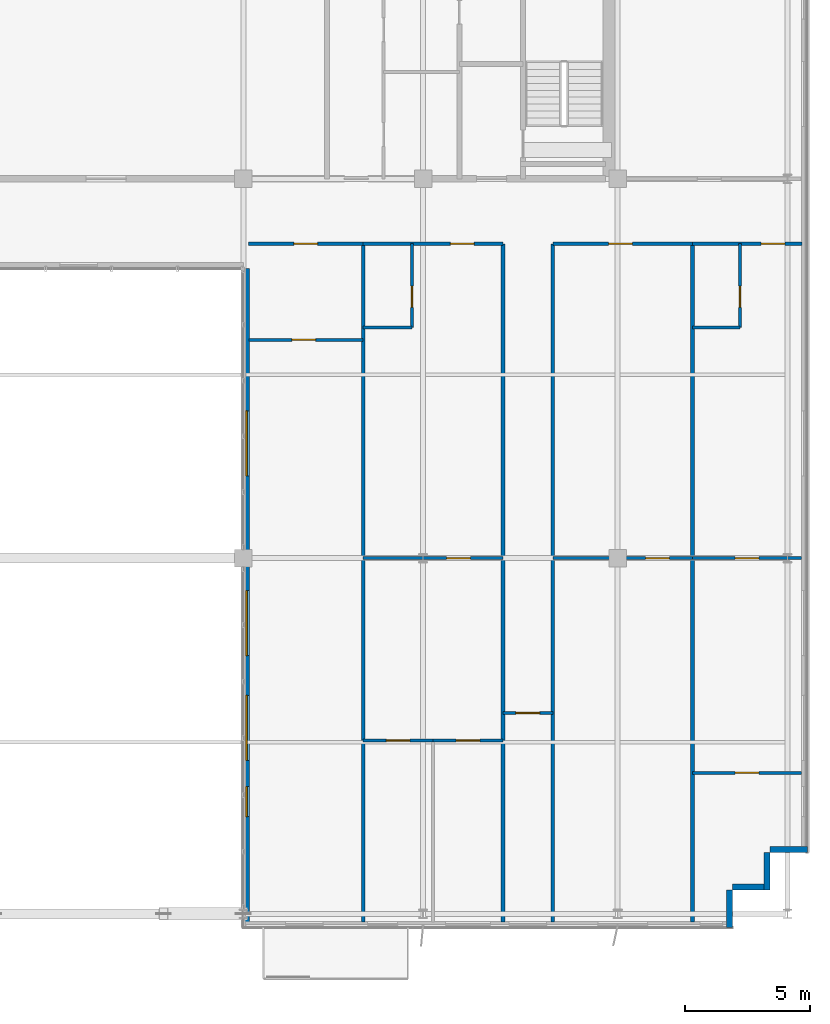
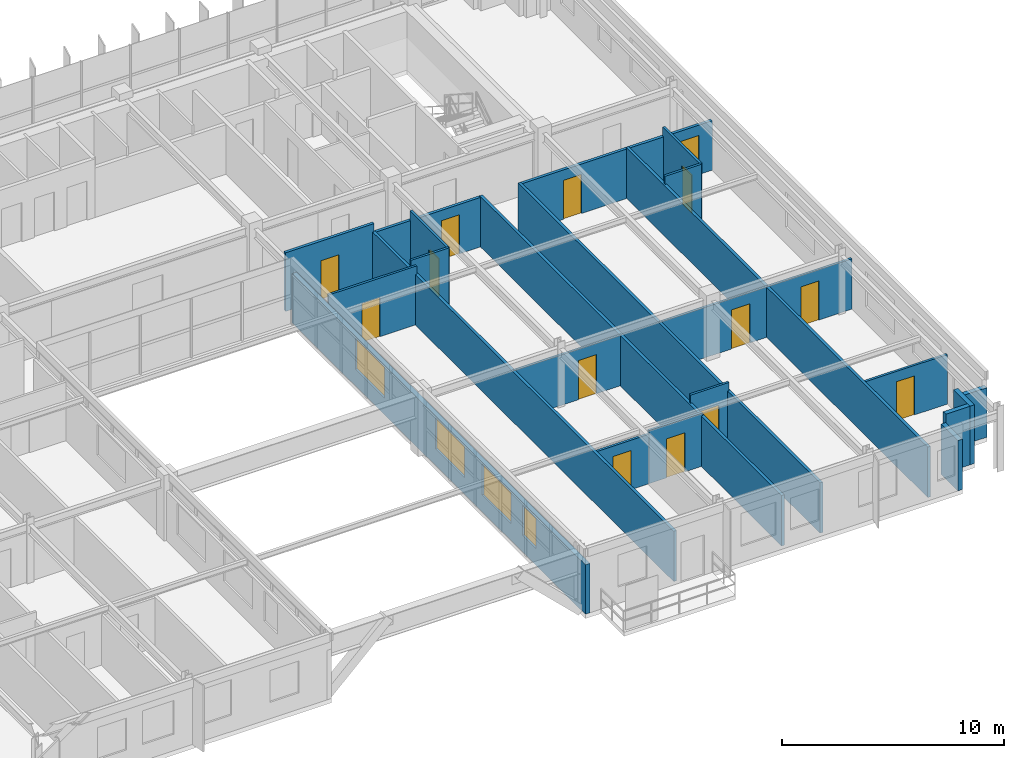
# One storey, part 32 of 37: 25 walls, 14 doors, 4 windows, 18 openings.
"""IFC4 building model written with IfcOpenShell, lengths in metres."""

from ifc_helpers import new_model, si_unit, direction, frame, frame_2d, origin, place, context, subcontext, project, spatial, rectangle, extrude, source, transform, mapped, material, layer, layer_set, type_object, element, fill, save


model = new_model("IFC4")

# Units and contexts
model_context = context("Model", 3, precision=1e-05, world=origin(), true_north=direction((0.0, 1.0)))
body_context = subcontext(model_context, "Body", "Model", "MODEL_VIEW")
ifc_project = project(units=[si_unit("LENGTHUNIT", "METRE"), si_unit("AREAUNIT", "SQUARE_METRE"), si_unit("VOLUMEUNIT", "CUBIC_METRE"), si_unit("PLANEANGLEUNIT", "RADIAN"), si_unit("MASSUNIT", "GRAM", prefix="KILO")], contexts=[model_context])

# Site, building, storey
site_placement = place(None, origin())
site = spatial("IfcSite", under=ifc_project, at=site_placement, CompositionType="ELEMENT")
building_placement = place(site_placement, origin())
building = spatial("IfcBuilding", under=site, at=building_placement, Name="Trelvane Seafront Commons", CompositionType="ELEMENT")
storey_placement = place(building_placement, frame((0.0, 0.0, 201.300048828125)))
storey = spatial("IfcBuildingStorey", under=building, at=storey_placement, Name="L52", CompositionType="ELEMENT", Elevation=201.300048828125)

# Walls
ifc_material_1 = material(Name="Precast concrete C40/50", Category="concrete")
ifc_layer_1 = layer(ifc_material_1, 0.239990234375, Name="ARCH-WALL-EXT240")
ifc_layer_set_1 = layer_set([ifc_layer_1], Name="Precast concrete C40/50")
wall_type_1 = type_object("IfcWallType", Name="ARCH-WALL-EXT240", PredefinedType="SOLIDWALL", material=ifc_layer_set_1)
wall_1_placement = place(storey_placement, frame((66.39990234375, 6.52001953125, 0.0), z_axis=(0.0, 0.0, 1.0), x_axis=(-1.0, 0.0, 0.0)))
element("IfcWall", 1, at=wall_1_placement, inside=storey, type_object=wall_type_1, Name="EW-L52-01047", PredefinedType="SOLIDWALL", context=body_context, shape_type="SweptSolid", body=[
    extrude(rectangle(XDim=1.5, YDim=0.239990234375, at=frame_2d((0.75, 0.0))), origin(), (0.0, 0.0, 1.0), 2.719970703125),
])
for number, where, z_axis, x_axis, name in (
    (2, (64.780029296875, 6.39990234375, 0.0), (0.0, 0.0, 1.0), (0.0, -1.0, 0.0), "EW-L52-01048"),
    (3, (64.89990234375, 5.02001953125, 0.0), (0.0, 0.0, 1.0), (-1.0, 0.0, 0.0), "EW-L52-01049"),
):
    element("IfcWall", number, at=place(storey_placement, frame(where, z_axis=z_axis, x_axis=x_axis)), inside=storey, type_object=wall_type_1, Name=name, PredefinedType="SOLIDWALL", context=body_context, shape_type="SweptSolid", body=[
        extrude(rectangle(XDim=1.5, YDim=0.239990234375, at=frame_2d((0.75, 0.0))), origin(), (0.0, 0.0, 1.0), 3.219970703125),
    ])
wall_2_placement = place(storey_placement, frame((63.280029296875, 4.89990234375, 0.0), z_axis=(0.0, 0.0, 1.0), x_axis=(0.0, -1.0, 0.0)))
element("IfcWall", 4, at=wall_2_placement, inside=storey, type_object=wall_type_1, Name="EW-L52-01050", PredefinedType="SOLIDWALL", context=body_context, shape_type="SweptSolid", body=[
    extrude(rectangle(XDim=1.5, YDim=0.239990234375, at=frame_2d((0.75, 0.0))), origin(), (0.0, 0.0, 1.0), 2.77001953125),
])

# Wall, openings, windows
wall_3_placement = place(storey_placement, frame((43.919921875, 3.39990234375, 0.0), z_axis=(0.0, 0.0, 1.0), x_axis=(0.0, 1.0, 0.0)))
wall_3 = element("IfcWall", 5, at=wall_3_placement, inside=storey, type_object=wall_type_1, Name="EW-L52-01052", PredefinedType="SOLIDWALL", context=body_context, shape_type="SweptSolid", body=[
    extrude(rectangle(XDim=26.400146484375, YDim=0.239990234375, at=frame_2d((13.2001953125, 0.0))), origin(), (0.0, 0.0, 1.0), 2.719970703125),
])
opening_1_placement = place(wall_3_placement, frame((4.449951171875, 0.0, 0.919921875)))
opening_1 = element("IfcOpeningElement", 6, at=opening_1_placement, cuts=wall_3, Name="Opening W05", PredefinedType="OPENING", context=body_context, shape_type="SweptSolid", body=[
    extrude(rectangle(XDim=1.199951171875, YDim=1.64990234375, at=frame_2d((0.60009765625, 0.824951171875))), frame((0.0, 0.1298828125, 0.0), z_axis=(0.0, -1.0, 0.0), x_axis=(1.0, 0.0, 0.0)), (0.0, 0.0, 1.0), 0.260009765625),
])
opening_2_placement = place(wall_3_placement, frame((6.699951171875, 0.0, 0.919921875)))
opening_2 = element("IfcOpeningElement", 7, at=opening_2_placement, cuts=wall_3, Name="Opening W04", PredefinedType="OPENING", context=body_context, shape_type="SweptSolid", body=[
    extrude(rectangle(XDim=2.60009765625, YDim=1.699951171875, at=frame_2d((1.300048828125, 0.85009765625))), frame((0.0, 0.1298828125, 0.0), z_axis=(0.0, -1.0, 0.0), x_axis=(1.0, 0.0, 0.0)), (0.0, 0.0, 1.0), 0.260009765625),
])
opening_3_placement = place(wall_3_placement, frame((10.89990234375, 0.0, 0.919921875)))
opening_3 = element("IfcOpeningElement", 8, at=opening_3_placement, cuts=wall_3, Name="Opening W04", PredefinedType="OPENING", context=body_context, shape_type="SweptSolid", body=[
    extrude(rectangle(XDim=2.60009765625, YDim=1.699951171875, at=frame_2d((1.300048828125, 0.85009765625))), frame((0.0, 0.1298828125, 0.0), z_axis=(0.0, -1.0, 0.0), x_axis=(1.0, 0.0, 0.0)), (0.0, 0.0, 1.0), 0.260009765625),
])
opening_4_placement = place(wall_3_placement, frame((18.10009765625, 0.0, 0.919921875)))
opening_4 = element("IfcOpeningElement", 9, at=opening_4_placement, cuts=wall_3, Name="Opening W04", PredefinedType="OPENING", context=body_context, shape_type="SweptSolid", body=[
    extrude(rectangle(XDim=2.60009765625, YDim=1.699951171875, at=frame_2d((1.300048828125, 0.85009765625))), frame((0.0, 0.1298828125, 0.0), z_axis=(0.0, -1.0, 0.0), x_axis=(1.0, 0.0, 0.0)), (0.0, 0.0, 1.0), 0.260009765625),
])
ifc_material_2 = material(Name="Low-E coastal double glazing", Category="glass")
window_type_1 = type_object("IfcWindowType", Name="ARCH-WIN-W05", PartitioningType="SINGLE_PANEL", PredefinedType="WINDOW", material=ifc_material_2)
shared_shape_1 = source(origin(), body_context, "Body", "SweptSolid", [
    extrude(rectangle(XDim=1.199951171875, YDim=1.64990234375, at=frame_2d((0.60009765625, 0.824951171875))), frame((0.0, 0.030029296875, 0.0), z_axis=(0.0, -1.0, 0.0), x_axis=(1.0, 0.0, 0.0)), (0.0, 0.0, 1.0), 0.06005859375),
])
window_1_placement = place(opening_1_placement, origin())
window_1 = element("IfcWindow", 10, at=window_1_placement, inside=storey, type_object=window_type_1, Name="WIN-L52-EW-01256", OverallHeight=1.64990234375, OverallWidth=1.199951171875, PartitioningType="SINGLE_PANEL", PredefinedType="WINDOW", context=body_context, shape_type="MappedRepresentation", body=[
    mapped(shared_shape_1, transform((0.0, 0.0, 0.0), x_axis=(1.0, 0.0, 0.0), y_axis=(0.0, 1.0, 0.0), z_axis=(0.0, 0.0, 1.0), scale=1.0)),
])
fill(opening_1, window_1)
window_type_2 = type_object("IfcWindowType", Name="ARCH-WIN-W04", PartitioningType="SINGLE_PANEL", PredefinedType="WINDOW", material=ifc_material_2)
shared_shape_2 = source(origin(), body_context, "Body", "SweptSolid", [
    extrude(rectangle(XDim=2.60009765625, YDim=1.699951171875, at=frame_2d((1.300048828125, 0.85009765625))), frame((0.0, 0.030029296875, 0.0), z_axis=(0.0, -1.0, 0.0), x_axis=(1.0, 0.0, 0.0)), (0.0, 0.0, 1.0), 0.06005859375),
])
window_2_placement = place(opening_2_placement, origin())
window_2 = element("IfcWindow", 11, at=window_2_placement, inside=storey, type_object=window_type_2, Name="WIN-L52-EW-01257", OverallHeight=1.699951171875, OverallWidth=2.60009765625, PartitioningType="SINGLE_PANEL", PredefinedType="WINDOW", context=body_context, shape_type="MappedRepresentation", body=[
    mapped(shared_shape_2, transform((0.0, 0.0, 0.0), x_axis=(1.0, 0.0, 0.0), y_axis=(0.0, 1.0, 0.0), z_axis=(0.0, 0.0, 1.0), scale=1.0)),
])
fill(opening_2, window_2)
window_3_placement = place(opening_3_placement, origin())
window_3 = element("IfcWindow", 12, at=window_3_placement, inside=storey, type_object=window_type_2, Name="WIN-L52-EW-01258", OverallHeight=1.699951171875, OverallWidth=2.60009765625, PartitioningType="SINGLE_PANEL", PredefinedType="WINDOW", context=body_context, shape_type="MappedRepresentation", body=[
    mapped(shared_shape_2, transform((0.0, 0.0, 0.0), x_axis=(1.0, 0.0, 0.0), y_axis=(0.0, 1.0, 0.0), z_axis=(0.0, 0.0, 1.0), scale=1.0)),
])
fill(opening_3, window_3)
window_4_placement = place(opening_4_placement, origin())
window_4 = element("IfcWindow", 13, at=window_4_placement, inside=storey, type_object=window_type_2, Name="WIN-L52-EW-01259", OverallHeight=1.699951171875, OverallWidth=2.60009765625, PartitioningType="SINGLE_PANEL", PredefinedType="WINDOW", context=body_context, shape_type="MappedRepresentation", body=[
    mapped(shared_shape_2, transform((0.0, 0.0, 0.0), x_axis=(1.0, 0.0, 0.0), y_axis=(0.0, 1.0, 0.0), z_axis=(0.0, 0.0, 1.0), scale=1.0)),
])
fill(opening_4, window_4)

# Wall, opening, door
ifc_material_3 = material(Name="Gypsum Drywall Acoustic Partition")
ifc_layer_2 = layer(ifc_material_3, 0.1201171875, Name="ARCH-WALL-PART120")
ifc_layer_set_2 = layer_set([ifc_layer_2], Name="Gypsum Drywall Acoustic Partition")
wall_type_2 = type_object("IfcWallType", Name="ARCH-WALL-PART120", PredefinedType="PARTITIONING", material=ifc_layer_set_2)
wall_4_placement = place(storey_placement, frame((44.02490234375, 26.949951171875, 0.0), z_axis=(0.0, 0.0, 1.0), x_axis=(1.0, 0.0, 0.0)))
wall_4 = element("IfcWall", 14, at=wall_4_placement, inside=storey, type_object=wall_type_2, Name="W-L52-U7-DIV-070", PredefinedType="PARTITIONING", context=body_context, shape_type="SweptSolid", body=[
    extrude(rectangle(XDim=4.5751953125, YDim=0.1201171875, at=frame_2d((2.28759765625, 0.0))), origin(), (0.0, 0.0, 1.0), 3.219970703125),
])
opening_5_placement = place(wall_4_placement, frame((1.717041015625, 0.0, 0.0)))
opening_5 = element("IfcOpeningElement", 15, at=opening_5_placement, cuts=wall_4, Name="Opening D-L52-43", PredefinedType="OPENING", context=body_context, shape_type="SweptSolid", body=[
    extrude(rectangle(XDim=0.949951171875, YDim=2.14990234375, at=frame_2d((0.47509765625, 1.074951171875))), frame((0.0, 0.070068359375, 0.0), z_axis=(0.0, -1.0, 0.0), x_axis=(1.0, 0.0, 0.0)), (0.0, 0.0, 1.0), 0.14013671875),
])
ifc_material_4 = material(Name="Acoustic timber door leaf", Category="wood")
door_type_1 = type_object("IfcDoorType", Name="ARCH-DR-INT950", OperationType="NOTDEFINED", PredefinedType="DOOR", material=ifc_material_4)
shared_shape_3 = source(origin(), body_context, "Body", "SweptSolid", [
    extrude(rectangle(XDim=0.949951171875, YDim=2.14990234375, at=frame_2d((0.47509765625, 1.074951171875))), frame((0.0, 0.02490234375, 0.0), z_axis=(0.0, -1.0, 0.0), x_axis=(1.0, 0.0, 0.0)), (0.0, 0.0, 1.0), 0.050048828125),
])
door_1_placement = place(opening_5_placement, origin())
door_1 = element("IfcDoor", 16, at=door_1_placement, inside=storey, type_object=door_type_1, Name="L52 Door 43", OperationType="SINGLE_SWING_LEFT", OverallHeight=2.14990234375, OverallWidth=0.949951171875, PredefinedType="DOOR", context=body_context, shape_type="MappedRepresentation", body=[
    mapped(shared_shape_3, transform((0.0, 0.0, 0.0), x_axis=(1.0, 0.0, 0.0), y_axis=(0.0, 1.0, 0.0), z_axis=(0.0, 0.0, 1.0), scale=1.0)),
])
fill(opening_5, door_1)

wall_5_placement = place(storey_placement, frame((48.60009765625, 18.199951171875, 0.0), z_axis=(0.0, 0.0, 1.0), x_axis=(1.0, 0.0, 0.0)))
wall_5 = element("IfcWall", 17, at=wall_5_placement, inside=storey, type_object=wall_type_2, Name="W-L52-U8-KL-071", PredefinedType="PARTITIONING", context=body_context, shape_type="SweptSolid", body=[
    extrude(rectangle(XDim=5.599853515625, YDim=0.1201171875, at=frame_2d((2.7998046875, 0.0))), origin(), (0.0, 0.0, 1.0), 2.77001953125),
])
opening_6_placement = place(wall_5_placement, frame((3.343994140625, 0.0, 0.0)))
opening_6 = element("IfcOpeningElement", 18, at=opening_6_placement, cuts=wall_5, Name="Opening D-L52-44", PredefinedType="OPENING", context=body_context, shape_type="SweptSolid", body=[
    extrude(rectangle(XDim=0.949951171875, YDim=2.14990234375, at=frame_2d((0.47509765625, 1.074951171875))), frame((0.0, 0.070068359375, 0.0), z_axis=(0.0, -1.0, 0.0), x_axis=(1.0, 0.0, 0.0)), (0.0, 0.0, 1.0), 0.14013671875),
])
door_2_placement = place(opening_6_placement, origin())
door_2 = element("IfcDoor", 19, at=door_2_placement, inside=storey, type_object=door_type_1, Name="L52 Door 44", OperationType="SINGLE_SWING_RIGHT", OverallHeight=2.14990234375, OverallWidth=0.949951171875, PredefinedType="DOOR", context=body_context, shape_type="MappedRepresentation", body=[
    mapped(shared_shape_3, transform((0.0, 0.0, 0.0), x_axis=(1.0, 0.0, 0.0), y_axis=(0.0, 1.0, 0.0), z_axis=(0.0, 0.0, 1.0), scale=1.0)),
])
fill(opening_6, door_2)

wall_6_placement = place(storey_placement, frame((50.553955078125, 27.449951171875, 0.0), z_axis=(0.0, 0.0, 1.0), x_axis=(0.0, 1.0, 0.0)))
wall_6 = element("IfcWall", 20, at=wall_6_placement, inside=storey, type_object=wall_type_2, Name="W-L52-U8-BE-072", PredefinedType="PARTITIONING", context=body_context, shape_type="SweptSolid", body=[
    extrude(rectangle(XDim=3.35009765625, YDim=0.1201171875, at=frame_2d((1.675048828125, 0.0))), origin(), (0.0, 0.0, 1.0), 3.219970703125),
])
opening_7_placement = place(wall_6_placement, frame((0.800048828125, 0.0, 0.0)))
opening_7 = element("IfcOpeningElement", 21, at=opening_7_placement, cuts=wall_6, Name="Opening D-L52-45", PredefinedType="OPENING", context=body_context, shape_type="SweptSolid", body=[
    extrude(rectangle(XDim=0.85009765625, YDim=2.10009765625, at=frame_2d((0.425048828125, 1.050048828125))), frame((0.0, 0.070068359375, 0.0), z_axis=(0.0, -1.0, 0.0), x_axis=(1.0, 0.0, 0.0)), (0.0, 0.0, 1.0), 0.14013671875),
])
door_type_2 = type_object("IfcDoorType", Name="ARCH-DR-INT850", OperationType="NOTDEFINED", PredefinedType="DOOR", material=ifc_material_4)
shared_shape_4 = source(origin(), body_context, "Body", "SweptSolid", [
    extrude(rectangle(XDim=0.85009765625, YDim=2.10009765625, at=frame_2d((0.425048828125, 1.050048828125))), frame((0.0, 0.02490234375, 0.0), z_axis=(0.0, -1.0, 0.0), x_axis=(1.0, 0.0, 0.0)), (0.0, 0.0, 1.0), 0.050048828125),
])
door_3_placement = place(opening_7_placement, origin())
door_3 = element("IfcDoor", 22, at=door_3_placement, inside=storey, type_object=door_type_2, Name="L52 Door 45", OperationType="SINGLE_SWING_LEFT", OverallHeight=2.10009765625, OverallWidth=0.85009765625, PredefinedType="DOOR", context=body_context, shape_type="MappedRepresentation", body=[
    mapped(shared_shape_4, transform((0.0, 0.0, 0.0), x_axis=(1.0, 0.0, 0.0), y_axis=(0.0, 1.0, 0.0), z_axis=(0.0, 0.0, 1.0), scale=1.0)),
])
fill(opening_7, door_3)

# Wall
wall_7_placement = place(storey_placement, frame((48.60009765625, 27.449951171875, 0.0), z_axis=(0.0, 0.0, 1.0), x_axis=(1.0, 0.0, 0.0)))
element("IfcWall", 23, at=wall_7_placement, inside=storey, type_object=wall_type_2, Name="W-L52-U8-BS-073", PredefinedType="PARTITIONING", context=body_context, shape_type="SweptSolid", body=[
    extrude(rectangle(XDim=1.953857421875, YDim=0.1201171875, at=frame_2d((0.97705078125, 0.0))), origin(), (0.0, 0.0, 1.0), 3.219970703125),
])

# Wall, opening, door
wall_8_placement = place(storey_placement, frame((48.60009765625, 10.89990234375, 0.0), z_axis=(0.0, 0.0, 1.0), x_axis=(1.0, 0.0, 0.0)))
wall_8 = element("IfcWall", 24, at=wall_8_placement, inside=storey, type_object=wall_type_2, Name="W-L52-U8-YM-1-075", PredefinedType="PARTITIONING", context=body_context, shape_type="SweptSolid", body=[
    extrude(rectangle(XDim=2.7998046875, YDim=0.1201171875, at=frame_2d((1.39990234375, 0.0))), origin(), (0.0, 0.0, 1.0), 2.719970703125),
])
opening_8_placement = place(wall_8_placement, frame((0.925048828125, 0.0, 0.0)))
opening_8 = element("IfcOpeningElement", 25, at=opening_8_placement, cuts=wall_8, Name="Opening D-L52-47", PredefinedType="OPENING", context=body_context, shape_type="SweptSolid", body=[
    extrude(rectangle(XDim=0.949951171875, YDim=2.14990234375, at=frame_2d((0.47509765625, 1.074951171875))), frame((0.0, 0.070068359375, 0.0), z_axis=(0.0, -1.0, 0.0), x_axis=(1.0, 0.0, 0.0)), (0.0, 0.0, 1.0), 0.14013671875),
])
door_4_placement = place(opening_8_placement, origin())
door_4 = element("IfcDoor", 26, at=door_4_placement, inside=storey, type_object=door_type_1, Name="L52 Door 47", OperationType="SINGLE_SWING_LEFT", OverallHeight=2.14990234375, OverallWidth=0.949951171875, PredefinedType="DOOR", context=body_context, shape_type="MappedRepresentation", body=[
    mapped(shared_shape_3, transform((0.0, 0.0, 0.0), x_axis=(1.0, 0.0, 0.0), y_axis=(0.0, 1.0, 0.0), z_axis=(0.0, 0.0, 1.0), scale=1.0)),
])
fill(opening_8, door_4)

wall_9_placement = place(storey_placement, frame((51.39990234375, 10.89990234375, 0.0), z_axis=(0.0, 0.0, 1.0), x_axis=(1.0, 0.0, 0.0)))
wall_9 = element("IfcWall", 27, at=wall_9_placement, inside=storey, type_object=wall_type_2, Name="W-L52-U8-YM-2-076", PredefinedType="PARTITIONING", context=body_context, shape_type="SweptSolid", body=[
    extrude(rectangle(XDim=2.800048828125, YDim=0.1201171875, at=frame_2d((1.39990234375, 0.0))), origin(), (0.0, 0.0, 1.0), 2.919921875),
])
opening_9_placement = place(wall_9_placement, frame((0.925048828125, 0.0, 0.0)))
opening_9 = element("IfcOpeningElement", 28, at=opening_9_placement, cuts=wall_9, Name="Opening D-L52-48", PredefinedType="OPENING", context=body_context, shape_type="SweptSolid", body=[
    extrude(rectangle(XDim=0.949951171875, YDim=2.14990234375, at=frame_2d((0.47509765625, 1.074951171875))), frame((0.0, 0.070068359375, 0.0), z_axis=(0.0, -1.0, 0.0), x_axis=(1.0, 0.0, 0.0)), (0.0, 0.0, 1.0), 0.14013671875),
])
door_5_placement = place(opening_9_placement, origin())
door_5 = element("IfcDoor", 29, at=door_5_placement, inside=storey, type_object=door_type_1, Name="L52 Door 48", OperationType="SINGLE_SWING_RIGHT", OverallHeight=2.14990234375, OverallWidth=0.949951171875, PredefinedType="DOOR", context=body_context, shape_type="MappedRepresentation", body=[
    mapped(shared_shape_3, transform((0.0, 0.0, 0.0), x_axis=(1.0, 0.0, 0.0), y_axis=(0.0, 1.0, 0.0), z_axis=(0.0, 0.0, 1.0), scale=1.0)),
])
fill(opening_9, door_5)

wall_10_placement = place(storey_placement, frame((54.199951171875, 12.0, 0.0), z_axis=(0.0, 0.0, 1.0), x_axis=(1.0, 0.0, 0.0)))
wall_10 = element("IfcWall", 30, at=wall_10_placement, inside=storey, type_object=wall_type_2, Name="W-L52-ARM-END-9-080", PredefinedType="PARTITIONING", context=body_context, shape_type="SweptSolid", body=[
    extrude(rectangle(XDim=2.0, YDim=0.1201171875, at=frame_2d((1.0, 0.0))), origin(), (0.0, 0.0, 1.0), 3.219970703125),
])
opening_10_placement = place(wall_10_placement, frame((0.52001953125, 0.0, 0.0)))
opening_10 = element("IfcOpeningElement", 31, at=opening_10_placement, cuts=wall_10, Name="Opening D-L52-49", PredefinedType="OPENING", context=body_context, shape_type="SweptSolid", body=[
    extrude(rectangle(XDim=0.949951171875, YDim=2.14990234375, at=frame_2d((0.47509765625, 1.074951171875))), frame((0.0, 0.070068359375, 0.0), z_axis=(0.0, -1.0, 0.0), x_axis=(1.0, 0.0, 0.0)), (0.0, 0.0, 1.0), 0.14013671875),
])
door_6_placement = place(opening_10_placement, origin())
door_6 = element("IfcDoor", 32, at=door_6_placement, inside=storey, type_object=door_type_1, Name="L52 Door 49", OperationType="SINGLE_SWING_LEFT", OverallHeight=2.14990234375, OverallWidth=0.949951171875, PredefinedType="DOOR", context=body_context, shape_type="MappedRepresentation", body=[
    mapped(shared_shape_3, transform((0.0, 0.0, 0.0), x_axis=(1.0, 0.0, 0.0), y_axis=(0.0, 1.0, 0.0), z_axis=(0.0, 0.0, 1.0), scale=1.0)),
])
fill(opening_10, door_6)

wall_11_placement = place(storey_placement, frame((56.199951171875, 18.199951171875, 0.0), z_axis=(0.0, 0.0, 1.0), x_axis=(1.0, 0.0, 0.0)))
wall_11 = element("IfcWall", 33, at=wall_11_placement, inside=storey, type_object=wall_type_2, Name="W-L52-U10-DIV-082", PredefinedType="PARTITIONING", context=body_context, shape_type="SweptSolid", body=[
    extrude(rectangle(XDim=5.60009765625, YDim=0.1201171875, at=frame_2d((2.800048828125, 0.0))), origin(), (0.0, 0.0, 1.0), 2.77001953125),
])
opening_11_placement = place(wall_11_placement, frame((3.714111328125, 0.0, 0.0)))
opening_11 = element("IfcOpeningElement", 34, at=opening_11_placement, cuts=wall_11, Name="Opening D-L52-51", PredefinedType="OPENING", context=body_context, shape_type="SweptSolid", body=[
    extrude(rectangle(XDim=0.949951171875, YDim=2.14990234375, at=frame_2d((0.47509765625, 1.074951171875))), frame((0.0, 0.070068359375, 0.0), z_axis=(0.0, -1.0, 0.0), x_axis=(1.0, 0.0, 0.0)), (0.0, 0.0, 1.0), 0.14013671875),
])
door_7_placement = place(opening_11_placement, origin())
door_7 = element("IfcDoor", 35, at=door_7_placement, inside=storey, type_object=door_type_1, Name="L52 Door 51", OperationType="SINGLE_SWING_LEFT", OverallHeight=2.14990234375, OverallWidth=0.949951171875, PredefinedType="DOOR", context=body_context, shape_type="MappedRepresentation", body=[
    mapped(shared_shape_3, transform((0.0, 0.0, 0.0), x_axis=(1.0, 0.0, 0.0), y_axis=(0.0, 1.0, 0.0), z_axis=(0.0, 0.0, 1.0), scale=1.0)),
])
fill(opening_11, door_7)

wall_12_placement = place(storey_placement, frame((61.800048828125, 18.199951171875, 0.0), z_axis=(0.0, 0.0, 1.0), x_axis=(1.0, 0.0, 0.0)))
wall_12 = element("IfcWall", 36, at=wall_12_placement, inside=storey, type_object=wall_type_2, Name="W-L52-U11-KL-083", PredefinedType="PARTITIONING", context=body_context, shape_type="SweptSolid", body=[
    extrude(rectangle(XDim=4.35986328125, YDim=0.1201171875, at=frame_2d((2.179931640625, 0.0))), origin(), (0.0, 0.0, 1.0), 2.77001953125),
])
opening_12_placement = place(wall_12_placement, frame((1.705078125, 0.0, 0.0)))
opening_12 = element("IfcOpeningElement", 37, at=opening_12_placement, cuts=wall_12, Name="Opening D-L52-52", PredefinedType="OPENING", context=body_context, shape_type="SweptSolid", body=[
    extrude(rectangle(XDim=0.949951171875, YDim=2.14990234375, at=frame_2d((0.47509765625, 1.074951171875))), frame((0.0, 0.070068359375, 0.0), z_axis=(0.0, -1.0, 0.0), x_axis=(1.0, 0.0, 0.0)), (0.0, 0.0, 1.0), 0.14013671875),
])
door_8_placement = place(opening_12_placement, origin())
door_8 = element("IfcDoor", 38, at=door_8_placement, inside=storey, type_object=door_type_1, Name="L52 Door 52", OperationType="SINGLE_SWING_RIGHT", OverallHeight=2.14990234375, OverallWidth=0.949951171875, PredefinedType="DOOR", context=body_context, shape_type="MappedRepresentation", body=[
    mapped(shared_shape_3, transform((0.0, 0.0, 0.0), x_axis=(1.0, 0.0, 0.0), y_axis=(0.0, 1.0, 0.0), z_axis=(0.0, 0.0, 1.0), scale=1.0)),
])
fill(opening_12, door_8)

wall_13_placement = place(storey_placement, frame((63.699951171875, 27.449951171875, 0.0), z_axis=(0.0, 0.0, 1.0), x_axis=(0.0, 1.0, 0.0)))
wall_13 = element("IfcWall", 39, at=wall_13_placement, inside=storey, type_object=wall_type_2, Name="W-L52-U11-BE-084", PredefinedType="PARTITIONING", context=body_context, shape_type="SweptSolid", body=[
    extrude(rectangle(XDim=3.35009765625, YDim=0.1201171875, at=frame_2d((1.675048828125, 0.0))), origin(), (0.0, 0.0, 1.0), 3.219970703125),
])
opening_13_placement = place(wall_13_placement, frame((0.800048828125, 0.0, 0.0)))
opening_13 = element("IfcOpeningElement", 40, at=opening_13_placement, cuts=wall_13, Name="Opening D-L52-53", PredefinedType="OPENING", context=body_context, shape_type="SweptSolid", body=[
    extrude(rectangle(XDim=0.85009765625, YDim=2.10009765625, at=frame_2d((0.425048828125, 1.050048828125))), frame((0.0, 0.070068359375, 0.0), z_axis=(0.0, -1.0, 0.0), x_axis=(1.0, 0.0, 0.0)), (0.0, 0.0, 1.0), 0.14013671875),
])
door_9_placement = place(opening_13_placement, origin())
door_9 = element("IfcDoor", 41, at=door_9_placement, inside=storey, type_object=door_type_2, Name="L52 Door 53", OperationType="SINGLE_SWING_LEFT", OverallHeight=2.10009765625, OverallWidth=0.85009765625, PredefinedType="DOOR", context=body_context, shape_type="MappedRepresentation", body=[
    mapped(shared_shape_4, transform((0.0, 0.0, 0.0), x_axis=(1.0, 0.0, 0.0), y_axis=(0.0, 1.0, 0.0), z_axis=(0.0, 0.0, 1.0), scale=1.0)),
])
fill(opening_13, door_9)

# Wall
wall_14_placement = place(storey_placement, frame((61.800048828125, 27.449951171875, 0.0), z_axis=(0.0, 0.0, 1.0), x_axis=(1.0, 0.0, 0.0)))
element("IfcWall", 42, at=wall_14_placement, inside=storey, type_object=wall_type_2, Name="W-L52-U11-BS-085", PredefinedType="PARTITIONING", context=body_context, shape_type="SweptSolid", body=[
    extrude(rectangle(XDim=1.89990234375, YDim=0.1201171875, at=frame_2d((0.949951171875, 0.0))), origin(), (0.0, 0.0, 1.0), 3.219970703125),
])

# Wall, opening, door
wall_15_placement = place(storey_placement, frame((61.800048828125, 9.60009765625, 0.0), z_axis=(0.0, 0.0, 1.0), x_axis=(1.0, 0.0, 0.0)))
wall_15 = element("IfcWall", 43, at=wall_15_placement, inside=storey, type_object=wall_type_2, Name="W-L52-U11-YM-1-087", PredefinedType="PARTITIONING", context=body_context, shape_type="SweptSolid", body=[
    extrude(rectangle(XDim=4.35986328125, YDim=0.1201171875, at=frame_2d((2.179931640625, 0.0))), origin(), (0.0, 0.0, 1.0), 2.719970703125),
])
opening_14_placement = place(wall_15_placement, frame((1.705078125, 0.0, 0.0)))
opening_14 = element("IfcOpeningElement", 44, at=opening_14_placement, cuts=wall_15, Name="Opening D-L52-55", PredefinedType="OPENING", context=body_context, shape_type="SweptSolid", body=[
    extrude(rectangle(XDim=0.949951171875, YDim=2.14990234375, at=frame_2d((0.47509765625, 1.074951171875))), frame((0.0, 0.070068359375, 0.0), z_axis=(0.0, -1.0, 0.0), x_axis=(1.0, 0.0, 0.0)), (0.0, 0.0, 1.0), 0.14013671875),
])
door_10_placement = place(opening_14_placement, origin())
door_10 = element("IfcDoor", 45, at=door_10_placement, inside=storey, type_object=door_type_1, Name="L52 Door 55", OperationType="SINGLE_SWING_LEFT", OverallHeight=2.14990234375, OverallWidth=0.949951171875, PredefinedType="DOOR", context=body_context, shape_type="MappedRepresentation", body=[
    mapped(shared_shape_3, transform((0.0, 0.0, 0.0), x_axis=(1.0, 0.0, 0.0), y_axis=(0.0, 1.0, 0.0), z_axis=(0.0, 0.0, 1.0), scale=1.0)),
])
fill(opening_14, door_10)

# Walls
ifc_layer_3 = layer(ifc_material_3, 0.14990234375, Name="ARCH-WALL-PART150")
ifc_layer_set_3 = layer_set([ifc_layer_3], Name="Gypsum Drywall Acoustic Partition")
wall_type_3 = type_object("IfcWallType", Name="ARCH-WALL-PART150", PredefinedType="PARTITIONING", material=ifc_layer_set_3)
for number, where, z_axis, x_axis, name in (
    (46, (48.60009765625, 3.625, 0.0), (0.0, 0.0, 1.0), (0.0, 1.0, 0.0), "W-L52-PW-7-048"),
    (47, (61.800048828125, 3.625, 0.0), (0.0, 0.0, 1.0), (0.0, 1.0, 0.0), "W-L52-PW-10-049"),
):
    element("IfcWall", number, at=place(storey_placement, frame(where, z_axis=z_axis, x_axis=x_axis)), inside=storey, type_object=wall_type_3, Name=name, PredefinedType="PARTITIONING", context=body_context, shape_type="SweptSolid", body=[
        extrude(rectangle(XDim=27.175048828125, YDim=0.14990234375, at=frame_2d((13.58740234375, 0.0))), origin(), (0.0, 0.0, 1.0), 2.77001953125),
    ])

# Wall, opening, door
wall_16_placement = place(storey_placement, frame((44.0, 30.800048828125, 0.0), z_axis=(0.0, 0.0, 1.0), x_axis=(1.0, 0.0, 0.0)))
wall_16 = element("IfcWall", 48, at=wall_16_placement, inside=storey, type_object=wall_type_3, Name="W-L52-CS-BAY-7-069", PredefinedType="PARTITIONING", context=body_context, shape_type="SweptSolid", body=[
    extrude(rectangle(XDim=4.60009765625, YDim=0.14990234375, at=frame_2d((2.300048828125, 0.0))), origin(), (0.0, 0.0, 1.0), 3.219970703125),
])
opening_15_placement = place(wall_16_placement, frame((1.824951171875, 0.0, 0.0)))
opening_15 = element("IfcOpeningElement", 49, at=opening_15_placement, cuts=wall_16, Name="Opening FD-L52-42", PredefinedType="OPENING", context=body_context, shape_type="SweptSolid", body=[
    extrude(rectangle(XDim=0.949951171875, YDim=2.14990234375, at=frame_2d((0.47509765625, 1.074951171875))), frame((0.0, 0.0849609375, 0.0), z_axis=(0.0, -1.0, 0.0), x_axis=(1.0, 0.0, 0.0)), (0.0, 0.0, 1.0), 0.169921875),
])
ifc_material_5 = material(Name="Powder-coated aluminium frame", Category="aluminium")
door_type_3 = type_object("IfcDoorType", Name="ARCH-DR-FD60-950", OperationType="NOTDEFINED", PredefinedType="DOOR", material=ifc_material_5)
door_11_placement = place(opening_15_placement, origin())
door_11 = element("IfcDoor", 50, at=door_11_placement, inside=storey, type_object=door_type_3, Name="L52 Bay 07 Entrance Door", OperationType="SINGLE_SWING_RIGHT", OverallHeight=2.14990234375, OverallWidth=0.949951171875, PredefinedType="DOOR", context=body_context, shape_type="MappedRepresentation", body=[
    mapped(shared_shape_3, transform((0.0, 0.0, 0.0), x_axis=(1.0, 0.0, 0.0), y_axis=(0.0, 1.0, 0.0), z_axis=(0.0, 0.0, 1.0), scale=1.0)),
])
fill(opening_15, door_11)

wall_17_placement = place(storey_placement, frame((48.60009765625, 30.800048828125, 0.0), z_axis=(0.0, 0.0, 1.0), x_axis=(1.0, 0.0, 0.0)))
wall_17 = element("IfcWall", 51, at=wall_17_placement, inside=storey, type_object=wall_type_3, Name="W-L52-CS-BAY-8-074", PredefinedType="PARTITIONING", context=body_context, shape_type="SweptSolid", body=[
    extrude(rectangle(XDim=5.599853515625, YDim=0.14990234375, at=frame_2d((2.7998046875, 0.0))), origin(), (0.0, 0.0, 1.0), 2.719970703125),
])
opening_16_placement = place(wall_17_placement, frame((3.491943359375, 0.0, 0.0)))
opening_16 = element("IfcOpeningElement", 52, at=opening_16_placement, cuts=wall_17, Name="Opening FD-L52-46", PredefinedType="OPENING", context=body_context, shape_type="SweptSolid", body=[
    extrude(rectangle(XDim=0.949951171875, YDim=2.14990234375, at=frame_2d((0.47509765625, 1.074951171875))), frame((0.0, 0.0849609375, 0.0), z_axis=(0.0, -1.0, 0.0), x_axis=(1.0, 0.0, 0.0)), (0.0, 0.0, 1.0), 0.169921875),
])
door_12_placement = place(opening_16_placement, origin())
door_12 = element("IfcDoor", 53, at=door_12_placement, inside=storey, type_object=door_type_3, Name="L52 Unit 08 Entrance Door", OperationType="SINGLE_SWING_RIGHT", OverallHeight=2.14990234375, OverallWidth=0.949951171875, PredefinedType="DOOR", context=body_context, shape_type="MappedRepresentation", body=[
    mapped(shared_shape_3, transform((0.0, 0.0, 0.0), x_axis=(1.0, 0.0, 0.0), y_axis=(0.0, 1.0, 0.0), z_axis=(0.0, 0.0, 1.0), scale=1.0)),
])
fill(opening_16, door_12)

# Walls
for number, where, z_axis, x_axis, name in (
    (54, (54.199951171875, 3.625, 0.0), (0.0, 0.0, 1.0), (0.0, 1.0, 0.0), "W-L52-ARM-W-9-078"),
    (55, (56.199951171875, 3.625, 0.0), (0.0, 0.0, 1.0), (0.0, 1.0, 0.0), "W-L52-ARM-E-9-079"),
):
    element("IfcWall", number, at=place(storey_placement, frame(where, z_axis=z_axis, x_axis=x_axis)), inside=storey, type_object=wall_type_3, Name=name, PredefinedType="PARTITIONING", context=body_context, shape_type="SweptSolid", body=[
        extrude(rectangle(XDim=27.175048828125, YDim=0.14990234375, at=frame_2d((13.58740234375, 0.0))), origin(), (0.0, 0.0, 1.0), 2.77001953125),
    ])

# Wall, opening, door
wall_18_placement = place(storey_placement, frame((56.199951171875, 30.800048828125, 0.0), z_axis=(0.0, 0.0, 1.0), x_axis=(1.0, 0.0, 0.0)))
wall_18 = element("IfcWall", 56, at=wall_18_placement, inside=storey, type_object=wall_type_3, Name="W-L52-CS-BAY-10-081", PredefinedType="PARTITIONING", context=body_context, shape_type="SweptSolid", body=[
    extrude(rectangle(XDim=5.60009765625, YDim=0.14990234375, at=frame_2d((2.800048828125, 0.0))), origin(), (0.0, 0.0, 1.0), 2.719970703125),
])
opening_17_placement = place(wall_18_placement, frame((2.23193359375, 0.0, 0.0)))
opening_17 = element("IfcOpeningElement", 57, at=opening_17_placement, cuts=wall_18, Name="Opening FD-L52-50", PredefinedType="OPENING", context=body_context, shape_type="SweptSolid", body=[
    extrude(rectangle(XDim=0.949951171875, YDim=2.14990234375, at=frame_2d((0.47509765625, 1.074951171875))), frame((0.0, 0.0849609375, 0.0), z_axis=(0.0, -1.0, 0.0), x_axis=(1.0, 0.0, 0.0)), (0.0, 0.0, 1.0), 0.169921875),
])
door_13_placement = place(opening_17_placement, origin())
door_13 = element("IfcDoor", 58, at=door_13_placement, inside=storey, type_object=door_type_3, Name="L52 Bay 10 Entrance Door", OperationType="SINGLE_SWING_RIGHT", OverallHeight=2.14990234375, OverallWidth=0.949951171875, PredefinedType="DOOR", context=body_context, shape_type="MappedRepresentation", body=[
    mapped(shared_shape_3, transform((0.0, 0.0, 0.0), x_axis=(1.0, 0.0, 0.0), y_axis=(0.0, 1.0, 0.0), z_axis=(0.0, 0.0, 1.0), scale=1.0)),
])
fill(opening_17, door_13)

wall_19_placement = place(storey_placement, frame((61.800048828125, 30.800048828125, 0.0), z_axis=(0.0, 0.0, 1.0), x_axis=(1.0, 0.0, 0.0)))
wall_19 = element("IfcWall", 59, at=wall_19_placement, inside=storey, type_object=wall_type_3, Name="W-L52-CS-BAY-11-086", PredefinedType="PARTITIONING", context=body_context, shape_type="SweptSolid", body=[
    extrude(rectangle(XDim=4.375, YDim=0.14990234375, at=frame_2d((2.1875, 0.0))), origin(), (0.0, 0.0, 1.0), 2.719970703125),
])
opening_18_placement = place(wall_19_placement, frame((2.743896484375, 0.0, 0.0)))
opening_18 = element("IfcOpeningElement", 60, at=opening_18_placement, cuts=wall_19, Name="Opening FD-L52-54", PredefinedType="OPENING", context=body_context, shape_type="SweptSolid", body=[
    extrude(rectangle(XDim=0.949951171875, YDim=2.14990234375, at=frame_2d((0.47509765625, 1.074951171875))), frame((0.0, 0.0849609375, 0.0), z_axis=(0.0, -1.0, 0.0), x_axis=(1.0, 0.0, 0.0)), (0.0, 0.0, 1.0), 0.169921875),
])
door_14_placement = place(opening_18_placement, origin())
door_14 = element("IfcDoor", 61, at=door_14_placement, inside=storey, type_object=door_type_3, Name="L52 Unit 11 Entrance Door", OperationType="SINGLE_SWING_RIGHT", OverallHeight=2.14990234375, OverallWidth=0.949951171875, PredefinedType="DOOR", context=body_context, shape_type="MappedRepresentation", body=[
    mapped(shared_shape_3, transform((0.0, 0.0, 0.0), x_axis=(1.0, 0.0, 0.0), y_axis=(0.0, 1.0, 0.0), z_axis=(0.0, 0.0, 1.0), scale=1.0)),
])
fill(opening_18, door_14)

save(model, "model.ifc")
